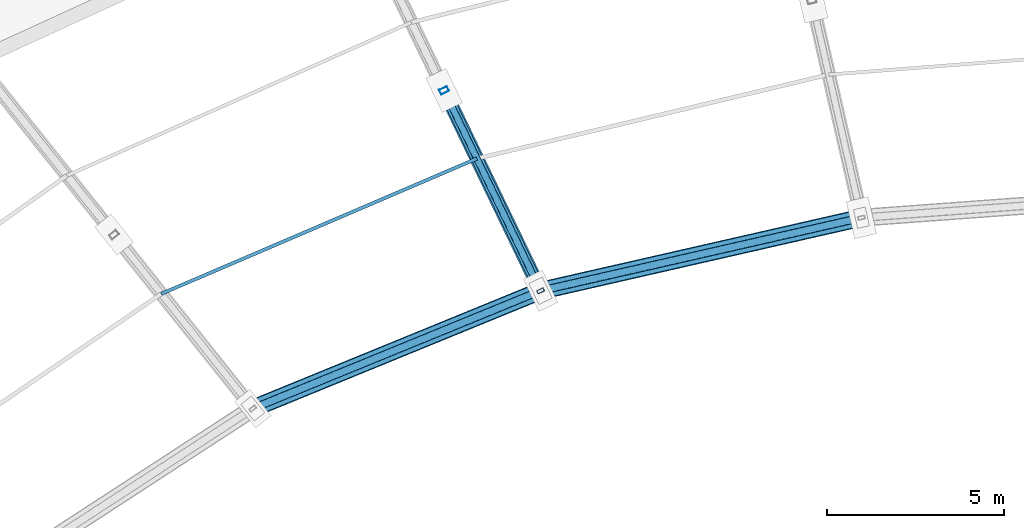
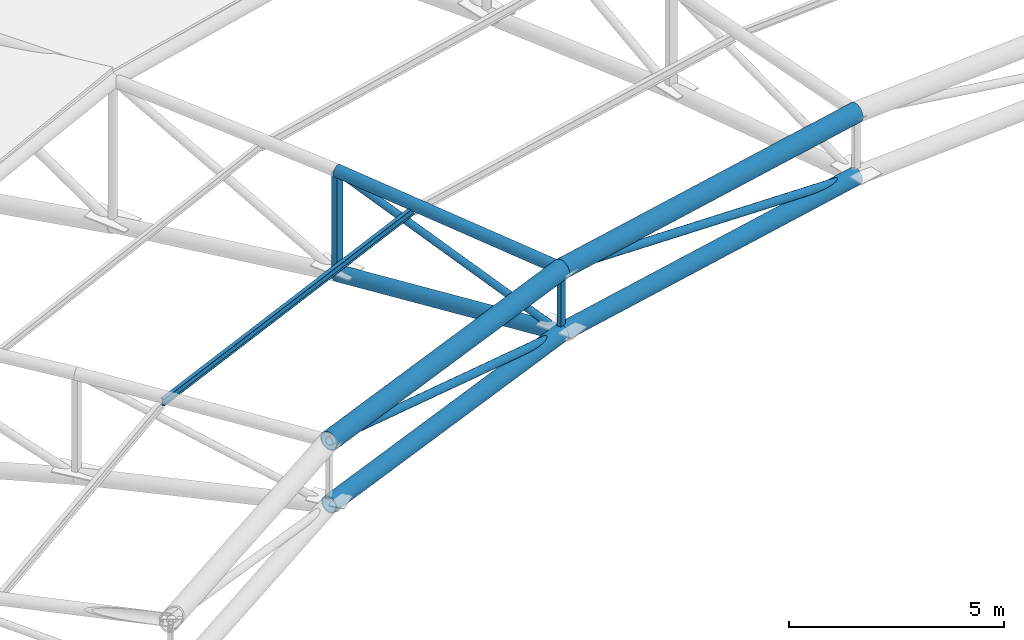
# One storey, part 46 of 108: 12 members.
"""IFC4 building model written with IfcOpenShell, lengths in metres."""

from ifc_helpers import new_model, si_unit, direction, frame, origin, origin_2d, place, context, subcontext, project, spatial, hollow_rectangle, hollow_circle, i_section, extrude, material, material_profile, profile_set, type_object, element, save


model = new_model("IFC4")

# Units and contexts
model_context = context("Model", 3, precision=1e-05, world=origin(), true_north=direction((0.0, 1.0)))
body_context = subcontext(model_context, "Body", "Model", "MODEL_VIEW")
ifc_project = project(units=[si_unit("LENGTHUNIT", "METRE"), si_unit("AREAUNIT", "SQUARE_METRE"), si_unit("VOLUMEUNIT", "CUBIC_METRE"), si_unit("PLANEANGLEUNIT", "RADIAN"), si_unit("MASSUNIT", "GRAM", prefix="KILO")], contexts=[model_context])

# Site, building, storey
site_placement = place(None, origin())
site = spatial("IfcSite", under=ifc_project, at=site_placement, CompositionType="ELEMENT")
building_placement = place(site_placement, origin())
building = spatial("IfcBuilding", under=site, at=building_placement, Name="Zevraka Park Crest Stadium", CompositionType="ELEMENT")
storey_placement = place(building_placement, frame((0.0, 0.0, 29.39990234375)))
storey = spatial("IfcBuildingStorey", under=building, at=storey_placement, Name="RF", CompositionType="ELEMENT", Elevation=29.39990234375)

# Members
ifc_material_1 = material(Name="Steel S355", Category="steel")
ifc_material_profile_1 = material_profile(ifc_material_1, i_section(OverallWidth=0.10009765625, OverallDepth=0.199951171875, WebThickness=0.005615234375, FlangeThickness=0.008544921875, at=origin_2d()), Name="IPE 200")
ifc_profile_set_1 = profile_set([ifc_material_profile_1], Name="Steel S355")
member_type_1 = type_object("IfcMemberType", Name="PR03", PredefinedType="PURLIN", material=ifc_profile_set_1)
member_1_placement = place(storey_placement, frame((91.5390625, 120.972900390625, 9.037109375), z_axis=(-0.919186567442, -0.393822363808, 0.0), x_axis=(0.393822363808, -0.919186567442, 0.0)))
element("IfcMember", 1, at=member_1_placement, inside=storey, type_object=member_type_1, Name="Canopy Roof Purlin PR03 INNER-10-2", PredefinedType="PURLIN", context=body_context, shape_type="SweptSolid", body=[
    extrude(i_section(OverallWidth=0.10009765625, OverallDepth=0.199951171875, WebThickness=0.005615234375, FlangeThickness=0.008544921875, at=origin_2d()), origin(), (0.0, 0.0, 1.0), 9.727294921875),
])
ifc_material_2 = material(Name="Steel S355", Category="steel")
ifc_material_profile_2 = material_profile(ifc_material_2, hollow_circle(Radius=0.25390625, WallThickness=0.030029296875, at=origin_2d()), Name="CHS 508.0x30")
ifc_profile_set_2 = profile_set([ifc_material_profile_2], Name="Steel S355")
member_type_2 = type_object("IfcMemberType", Name="TC01", PredefinedType="CHORD", material=ifc_profile_set_2)
member_2_placement = place(storey_placement, frame((102.431884765625, 119.298095703125, 9.0), z_axis=(-0.975007666978, -0.222171216261, 0.0), x_axis=(0.222171216261, -0.975007666978, 0.0)))
element("IfcMember", 2, at=member_2_placement, inside=storey, type_object=member_type_2, Name="Roof Inner Oculus Compression-Tension Ring TC01 09", PredefinedType="CHORD", context=body_context, shape_type="SweptSolid", body=[
    extrude(hollow_circle(Radius=0.25390625, WallThickness=0.030029296875, at=origin_2d()), origin(), (0.0, 0.0, 1.0), 9.32177734375),
])
member_3_placement = place(storey_placement, frame((93.343017578125, 117.22705078125, 9.0), z_axis=(-0.925523556588, -0.378690039743, 0.0), x_axis=(0.378690039743, -0.925523556588, 0.0)))
element("IfcMember", 3, at=member_3_placement, inside=storey, type_object=member_type_2, Name="Roof Inner Oculus Compression-Tension Ring TC01 10", PredefinedType="CHORD", context=body_context, shape_type="SweptSolid", body=[
    extrude(hollow_circle(Radius=0.25390625, WallThickness=0.030029296875, at=origin_2d()), origin(), (0.0, 0.0, 1.0), 8.80908203125),
])
ifc_material_3 = material(Name="Steel S355", Category="steel")
ifc_material_profile_3 = material_profile(ifc_material_3, hollow_circle(Radius=0.228515625, WallThickness=0.02490234375, at=origin_2d()), Name="CHS 457.0x25")
ifc_profile_set_3 = profile_set([ifc_material_profile_3], Name="Steel S355")
member_type_3 = type_object("IfcMemberType", Name="TC02", PredefinedType="CHORD", material=ifc_profile_set_3)
member_4_placement = place(storey_placement, frame((102.431884765625, 119.298095703125, 7.2001953125), z_axis=(-0.975007666978, -0.222171216261, 0.0), x_axis=(0.222171216261, -0.975007666978, 0.0)))
element("IfcMember", 4, at=member_4_placement, inside=storey, type_object=member_type_3, Name="Roof Inner Oculus Bottom Ring TC02 09", PredefinedType="CHORD", context=body_context, shape_type="SweptSolid", body=[
    extrude(hollow_circle(Radius=0.228515625, WallThickness=0.02490234375, at=origin_2d()), origin(), (0.0, 0.0, 1.0), 9.32177734375),
])
member_5_placement = place(storey_placement, frame((93.343017578125, 117.22705078125, 7.2001953125), z_axis=(-0.925523556588, -0.378690039743, 0.0), x_axis=(0.378690039743, -0.925523556588, 0.0)))
element("IfcMember", 5, at=member_5_placement, inside=storey, type_object=member_type_3, Name="Roof Inner Oculus Bottom Ring TC02 10", PredefinedType="CHORD", context=body_context, shape_type="SweptSolid", body=[
    extrude(hollow_circle(Radius=0.228515625, WallThickness=0.02490234375, at=origin_2d()), origin(), (0.0, 0.0, 1.0), 8.80908203125),
])
ifc_material_4 = material(Name="Steel S355", Category="steel")
ifc_material_profile_4 = material_profile(ifc_material_4, hollow_circle(Radius=0.203125, WallThickness=0.02001953125, at=origin_2d()), Name="CHS 406.4x20")
ifc_profile_set_4 = profile_set([ifc_material_profile_4], Name="Steel S355")
member_type_4 = type_object("IfcMemberType", Name="TC03", PredefinedType="CHORD", material=ifc_profile_set_4)
member_6_placement = place(storey_placement, frame((90.610107421875, 122.903076171875, 6.400146484375), z_axis=(0.430360126312, -0.89382192037, 0.125986254594), x_axis=(0.901001108726, 0.433816783994, 0.0)))
element("IfcMember", 6, at=member_6_placement, inside=storey, type_object=member_type_4, Name="Roof Truss Bottom Chord TC03 T10-7", PredefinedType="CHORD", context=body_context, shape_type="SweptSolid", body=[
    extrude(hollow_circle(Radius=0.203125, WallThickness=0.02001953125, at=origin_2d()), origin(), (0.0, 0.0, 1.0), 6.350341796875),
])
ifc_material_5 = material(Name="Steel S355", Category="steel")
ifc_material_profile_5 = material_profile(ifc_material_5, hollow_circle(Radius=0.161865234375, WallThickness=0.01611328125, at=origin_2d()), Name="CHS 323.9x16")
ifc_profile_set_5 = profile_set([ifc_material_profile_5], Name="Steel S355")
member_type_5 = type_object("IfcMemberType", Name="TC04", PredefinedType="CHORD", material=ifc_profile_set_5)
member_7_placement = place(storey_placement, frame((90.610107421875, 122.903076171875, 9.300048828125), z_axis=(0.433325554908, -0.899980867077, -0.047575228424), x_axis=(0.901001108726, 0.433816783994, 0.0)))
element("IfcMember", 7, at=member_7_placement, inside=storey, type_object=member_type_5, Name="Roof Truss Top Chord TC04 T10-7", PredefinedType="CHORD", context=body_context, shape_type="SweptSolid", body=[
    extrude(hollow_circle(Radius=0.161865234375, WallThickness=0.01611328125, at=origin_2d()), origin(), (0.0, 0.0, 1.0), 6.306884765625),
])
ifc_material_6 = material(Name="Steel S355", Category="steel")
ifc_material_profile_6 = material_profile(ifc_material_6, hollow_circle(Radius=0.109619140625, WallThickness=0.010009765625, at=origin_2d()), Name="CHS 219.1x10")
ifc_profile_set_6 = profile_set([ifc_material_profile_6], Name="Steel S355")
member_type_6 = type_object("IfcMemberType", Name="WB02", PredefinedType="BRACE", material=ifc_profile_set_6)
member_8_placement = place(storey_placement, frame((102.431884765625, 119.298095703125, 7.2001953125), z_axis=(-0.957327517697, -0.218142509203, 0.189572860762), x_axis=(0.222171216261, -0.975007666978, 0.0)))
element("IfcMember", 8, at=member_8_placement, inside=storey, type_object=member_type_6, Name="Roof Oculus Ring Brace WB02 09", PredefinedType="BRACE", context=body_context, shape_type="SweptSolid", body=[
    extrude(hollow_circle(Radius=0.109619140625, WallThickness=0.010009765625, at=origin_2d()), origin(), (0.0, 0.0, 1.0), 9.493896484375),
])
member_9_placement = place(storey_placement, frame((93.343017578125, 117.22705078125, 7.2001953125), z_axis=(-0.906790998807, -0.371025369298, 0.200175572487), x_axis=(0.378690039743, -0.925523556588, 0.0)))
element("IfcMember", 9, at=member_9_placement, inside=storey, type_object=member_type_6, Name="Roof Oculus Ring Brace WB02 10", PredefinedType="BRACE", context=body_context, shape_type="SweptSolid", body=[
    extrude(hollow_circle(Radius=0.109619140625, WallThickness=0.010009765625, at=origin_2d()), origin(), (0.0, 0.0, 1.0), 8.9912109375),
])
ifc_material_7 = material(Name="Steel S355", Category="steel")
ifc_material_profile_7 = material_profile(ifc_material_7, hollow_rectangle(XDim=0.14990234375, YDim=0.25, WallThickness=0.010009765625, at=origin_2d()), Name="RHS 250x150x10")
ifc_profile_set_7 = profile_set([ifc_material_profile_7], Name="Steel S355")
member_type_7 = type_object("IfcMemberType", Name="WB04", PredefinedType="BRACE", material=ifc_profile_set_7)
member_10_placement = place(storey_placement, frame((90.610107421875, 122.903076171875, 6.400146484375), z_axis=(0.0, 0.0, 1.0), x_axis=(-0.43381634559, 0.90100131981, 0.0)))
element("IfcMember", 10, at=member_10_placement, inside=storey, type_object=member_type_7, Name="Roof Truss Web Post WB04 T10-6", PredefinedType="BRACE", context=body_context, shape_type="SweptSolid", body=[
    extrude(hollow_rectangle(XDim=0.14990234375, YDim=0.25, WallThickness=0.010009765625, at=origin_2d()), origin(), (0.0, 0.0, 1.0), 2.89990234375),
])
ifc_material_8 = material(Name="Steel S355", Category="steel")
ifc_material_profile_8 = material_profile(ifc_material_8, hollow_rectangle(XDim=0.10009765625, YDim=0.199951171875, WallThickness=0.008056640625, at=origin_2d()), Name="RHS 200x100x8")
ifc_profile_set_8 = profile_set([ifc_material_profile_8], Name="Steel S355")
member_type_8 = type_object("IfcMemberType", Name="WB05", PredefinedType="BRACE", material=ifc_profile_set_8)
member_11_placement = place(storey_placement, frame((93.343017578125, 117.22705078125, 7.2001953125), z_axis=(0.0, 0.0, 1.0), x_axis=(-0.43381634559, 0.90100131981, 0.0)))
element("IfcMember", 11, at=member_11_placement, inside=storey, type_object=member_type_8, Name="Roof Truss Web Post WB05 T10-7", PredefinedType="BRACE", context=body_context, shape_type="SweptSolid", body=[
    extrude(hollow_rectangle(XDim=0.10009765625, YDim=0.199951171875, WallThickness=0.008056640625, at=origin_2d()), origin(), (0.0, 0.0, 1.0), 1.7998046875),
])
ifc_material_9 = material(Name="Steel S355", Category="steel")
ifc_material_profile_9 = material_profile(ifc_material_9, hollow_circle(Radius=0.096923828125, WallThickness=0.010009765625, at=origin_2d()), Name="CHS 193.7x10")
ifc_profile_set_9 = profile_set([ifc_material_profile_9], Name="Steel S355")
member_type_9 = type_object("IfcMemberType", Name="WB08", PredefinedType="BRACE", material=ifc_profile_set_9)
member_12_placement = place(storey_placement, frame((93.343017578125, 117.22705078125, 7.2001953125), z_axis=(-0.411555566532, 0.854766425433, 0.316222032137), x_axis=(-0.901001108726, -0.433816783994, 0.0)))
element("IfcMember", 12, at=member_12_placement, inside=storey, type_object=member_type_9, Name="Roof Truss Web Diagonal WB08 T10-7", PredefinedType="BRACE", context=body_context, shape_type="SweptSolid", body=[
    extrude(hollow_circle(Radius=0.096923828125, WallThickness=0.010009765625, at=origin_2d()), origin(), (0.0, 0.0, 1.0), 6.640380859375),
])

save(model, "model.ifc")
